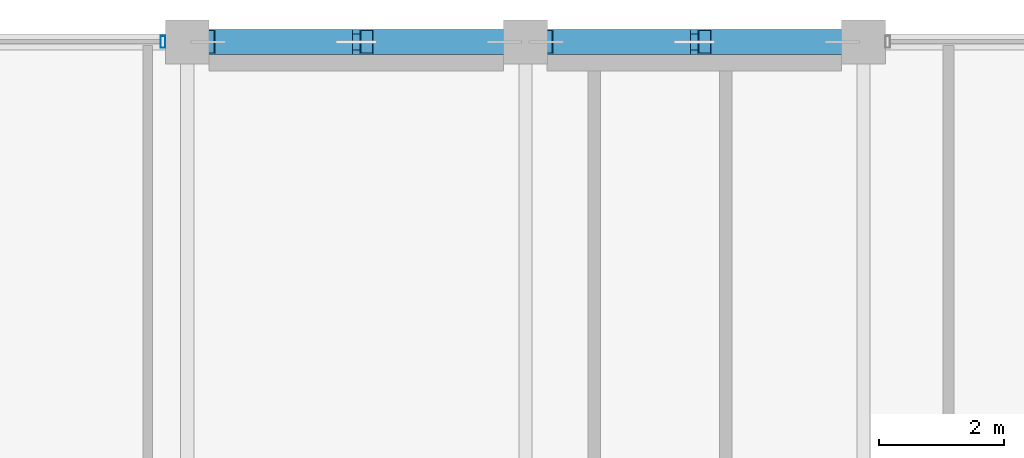
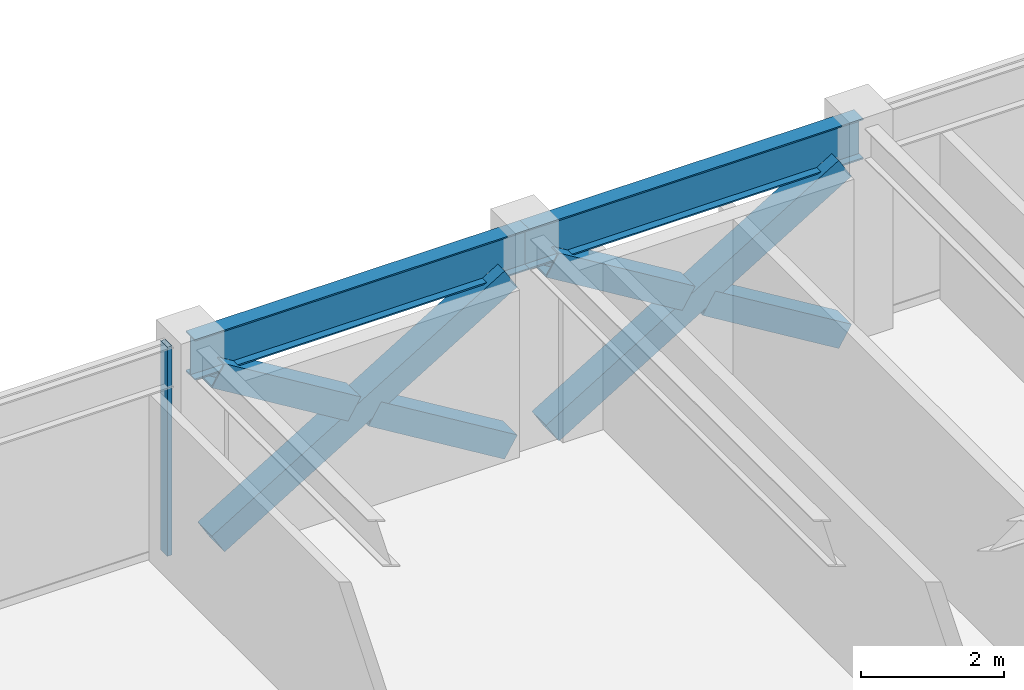
# One storey, part 19 of 30: 7 members, 2 beams, 1 element without a shape of its own.
"""IFC4 building model written with IfcOpenShell, lengths in metres."""

from ifc_helpers import new_model, si_unit, direction, frame, origin, origin_2d, place, context, subcontext, project, spatial, hollow_rectangle, i_section, extrude, material, layer, layer_set, material_profile, profile_set, type_object, element, aggregate, save


model = new_model("IFC4")

# Units and contexts
model_context = context("Model", 3, precision=1e-05, world=origin(), true_north=direction((0.0, 1.0)))
body_context = subcontext(model_context, "Body", "Model", "MODEL_VIEW")
ifc_project = project(units=[si_unit("LENGTHUNIT", "METRE"), si_unit("AREAUNIT", "SQUARE_METRE"), si_unit("VOLUMEUNIT", "CUBIC_METRE"), si_unit("PLANEANGLEUNIT", "RADIAN"), si_unit("MASSUNIT", "GRAM", prefix="KILO")], contexts=[model_context])

# Site, building, storey
site_placement = place(None, origin())
site = spatial("IfcSite", under=ifc_project, at=site_placement, CompositionType="ELEMENT")
building_placement = place(site_placement, origin())
building = spatial("IfcBuilding", under=site, at=building_placement, Name="Surkhivell Harbour Commons", CompositionType="ELEMENT")
storey_placement = place(building_placement, frame((0.0, 0.0, 292.5)))
storey = spatial("IfcBuildingStorey", under=building, at=storey_placement, Name="L76", CompositionType="ELEMENT", Elevation=292.5)

# Beams
ifc_material_1 = material(Name="Steel S355", Category="steel")
ifc_material_profile_1 = material_profile(ifc_material_1, i_section(OverallWidth=0.256103515625, OverallDepth=0.693115234375, WebThickness=0.014404296875, FlangeThickness=0.023681640625, at=origin_2d()), Name="UB686x254x170")
ifc_profile_set_1 = profile_set([ifc_material_profile_1], Name="Steel S355")
beam_type = type_object("IfcBeamType", Name="BM-SPN-686", PredefinedType="SPANDREL", material=ifc_profile_set_1)
for number, where, z_axis, x_axis, name in (
    (1, (-5.39990234375, 25.89990234375, 3.223388671875), (1.0, 0.0, 0.0), (0.0, 1.0, 0.0), "L76 Tube Spandrel (-5.4,25.9)"),
    (2, (0.0, 25.89990234375, 3.223388671875), (1.0, 0.0, 0.0), (0.0, 1.0, 0.0), "L76 Tube Spandrel (-0.0,25.9)"),
):
    element("IfcBeam", number, at=place(storey_placement, frame(where, z_axis=z_axis, x_axis=x_axis)), inside=storey, type_object=beam_type, Name=name, PredefinedType="SPANDREL", context=body_context, shape_type="SweptSolid", body=[
        extrude(i_section(OverallWidth=0.256103515625, OverallDepth=0.693115234375, WebThickness=0.014404296875, FlangeThickness=0.023681640625, at=origin_2d()), origin(), (0.0, 0.0, 1.0), 5.39990234375),
    ])

# Curtain wall, member
ifc_material_2 = material(Name="Anodised pale-metal aluminium and insulated glazing", Category="aluminium")
ifc_layer = layer(ifc_material_2, 0.175048828125)
ifc_layer_set = layer_set([ifc_layer], Name="Anodised pale-metal aluminium and insulated glazing")
curtain_wall_type = type_object("IfcCurtainWallType", Name="CW-SYS-Z4", PredefinedType="NOTDEFINED", material=ifc_layer_set)
curtain_wall_placement = place(storey_placement, origin())
curtain_wall = element("IfcCurtainWall", 3, at=curtain_wall_placement, inside=storey, type_object=curtain_wall_type, Name="L76 Curtain Wall CW-L76-E07S2", PredefinedType="NOTDEFINED")
ifc_material_3 = material(Name="Anodised pale-metal aluminium alloy 6063-T6", Category="aluminium")
ifc_material_profile_2 = material_profile(ifc_material_3, hollow_rectangle(XDim=0.074951171875, YDim=0.18994140625, WallThickness=0.00390625, at=origin_2d()), Name="ALU-MULL-75x190")
ifc_profile_set_2 = profile_set([ifc_material_profile_2], Name="Anodised pale-metal aluminium alloy 6063-T6")
member_type_1 = type_object("IfcMemberType", Name="CWM-190", PredefinedType="MULLION", material=ifc_profile_set_2)
member_1_placement = place(storey_placement, frame((-5.78955078125, 25.89990234375, 0.0), z_axis=(0.0, 0.0, 1.0), x_axis=(-1.0, 0.0, 0.0)))
member_1 = element("IfcMember", 4, at=member_1_placement, type_object=member_type_1, Name="CW-Z4 mullion 1", PredefinedType="MULLION", context=body_context, shape_type="SweptSolid", body=[
    extrude(hollow_rectangle(XDim=0.074951171875, YDim=0.18994140625, WallThickness=0.00390625, at=origin_2d()), origin(), (0.0, 0.0, 1.0), 3.570068359375),
])
aggregate(curtain_wall, [member_1])

# Members
ifc_material_4 = material(Name="Steel S460", Category="steel")
ifc_material_profile_3 = material_profile(ifc_material_4, hollow_rectangle(XDim=0.39990234375, YDim=0.39990234375, WallThickness=0.02001953125, at=origin_2d()), Name="SHS400x400x20")
ifc_profile_set_3 = profile_set([ifc_material_profile_3], Name="Steel S460")
member_type_2 = type_object("IfcMemberType", Name="MEM-BRC-SHS400", PredefinedType="BRACE", material=ifc_profile_set_3)
member_2_placement = place(storey_placement, frame((-5.06494140625, 25.89990234375, 0.008056640625), z_axis=(0.854685454322, 0.0, 0.519146197299), x_axis=(0.0, 1.0, 0.0)))
element("IfcMember", 5, at=member_2_placement, inside=storey, type_object=member_type_2, Name="L76 Perimeter Mega-Brace MB- 01", PredefinedType="BRACE", context=body_context, shape_type="SweptSolid", body=[
    extrude(hollow_rectangle(XDim=0.39990234375, YDim=0.39990234375, WallThickness=0.02001953125, at=origin_2d()), origin(), (0.0, 0.0, 1.0), 5.5341796875),
])
member_3_placement = place(storey_placement, frame((-0.3349609375, 25.89990234375, 0.008056640625), z_axis=(-0.854719912157, 0.0, 0.519089464122), x_axis=(0.0, -1.0, 0.0)))
element("IfcMember", 6, at=member_3_placement, inside=storey, type_object=member_type_2, Name="L76 Perimeter Mega-Brace MB- 02", PredefinedType="BRACE", context=body_context, shape_type="SweptSolid", body=[
    extrude(hollow_rectangle(XDim=0.39990234375, YDim=0.39990234375, WallThickness=0.02001953125, at=origin_2d()), origin(), (0.0, 0.0, 1.0), 2.574951171875),
])
member_4_placement = place(storey_placement, frame((-2.864013671875, 25.89990234375, 1.544189453125), z_axis=(-0.854677846108, 0.0, 0.519158722716), x_axis=(0.0, -1.0, 0.0)))
element("IfcMember", 7, at=member_4_placement, inside=storey, type_object=member_type_2, Name="L76 Perimeter Mega-Brace MB- 03", PredefinedType="BRACE", context=body_context, shape_type="SweptSolid", body=[
    extrude(hollow_rectangle(XDim=0.39990234375, YDim=0.39990234375, WallThickness=0.02001953125, at=origin_2d()), origin(), (0.0, 0.0, 1.0), 2.5751953125),
])
member_5_placement = place(storey_placement, frame((0.3349609375, 25.89990234375, 0.008056640625), z_axis=(0.854685454322, 0.0, 0.519146197299), x_axis=(0.0, 1.0, 0.0)))
element("IfcMember", 8, at=member_5_placement, inside=storey, type_object=member_type_2, Name="L76 Perimeter Mega-Brace MB- 04", PredefinedType="BRACE", context=body_context, shape_type="SweptSolid", body=[
    extrude(hollow_rectangle(XDim=0.39990234375, YDim=0.39990234375, WallThickness=0.02001953125, at=origin_2d()), origin(), (0.0, 0.0, 1.0), 5.5341796875),
])
member_6_placement = place(storey_placement, frame((5.06494140625, 25.89990234375, 0.008056640625), z_axis=(-0.854719912157, 0.0, 0.519089464122), x_axis=(0.0, -1.0, 0.0)))
element("IfcMember", 9, at=member_6_placement, inside=storey, type_object=member_type_2, Name="L76 Perimeter Mega-Brace MB- 05", PredefinedType="BRACE", context=body_context, shape_type="SweptSolid", body=[
    extrude(hollow_rectangle(XDim=0.39990234375, YDim=0.39990234375, WallThickness=0.02001953125, at=origin_2d()), origin(), (0.0, 0.0, 1.0), 2.574951171875),
])
member_7_placement = place(storey_placement, frame((2.535888671875, 25.89990234375, 1.544189453125), z_axis=(-0.854677846108, 0.0, 0.519158722716), x_axis=(0.0, -1.0, 0.0)))
element("IfcMember", 10, at=member_7_placement, inside=storey, type_object=member_type_2, Name="L76 Perimeter Mega-Brace MB- 06", PredefinedType="BRACE", context=body_context, shape_type="SweptSolid", body=[
    extrude(hollow_rectangle(XDim=0.39990234375, YDim=0.39990234375, WallThickness=0.02001953125, at=origin_2d()), origin(), (0.0, 0.0, 1.0), 2.5751953125),
])

save(model, "model.ifc")
